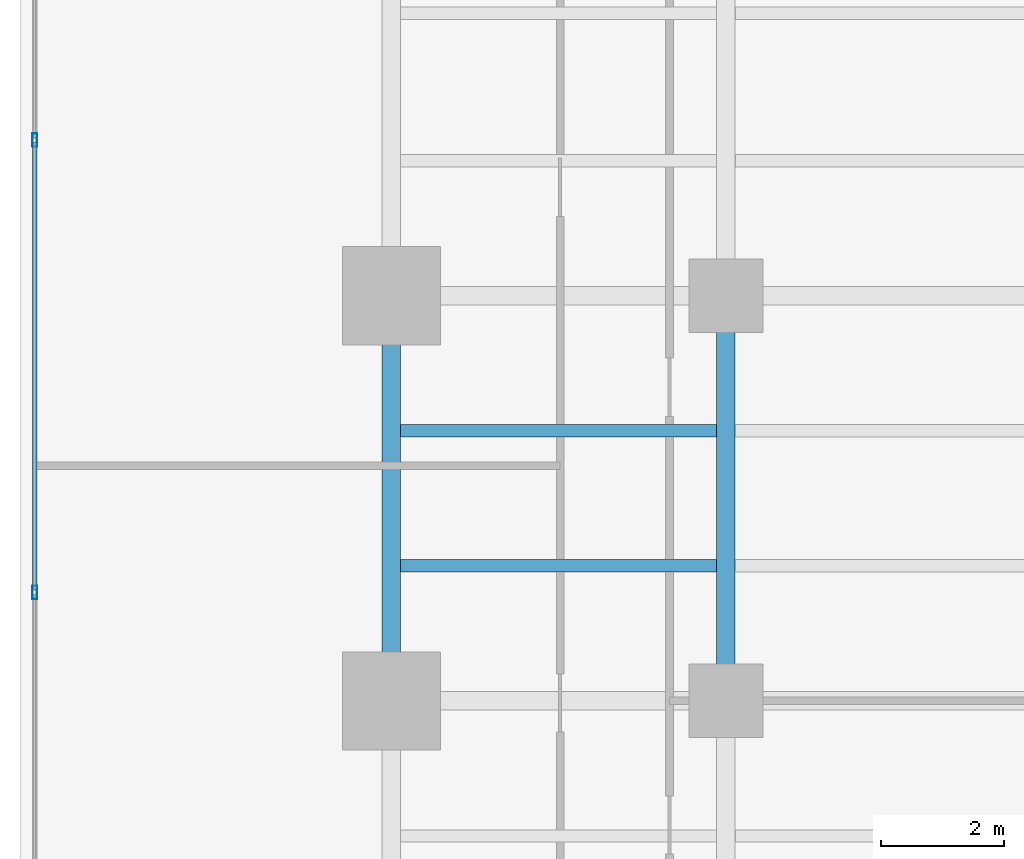
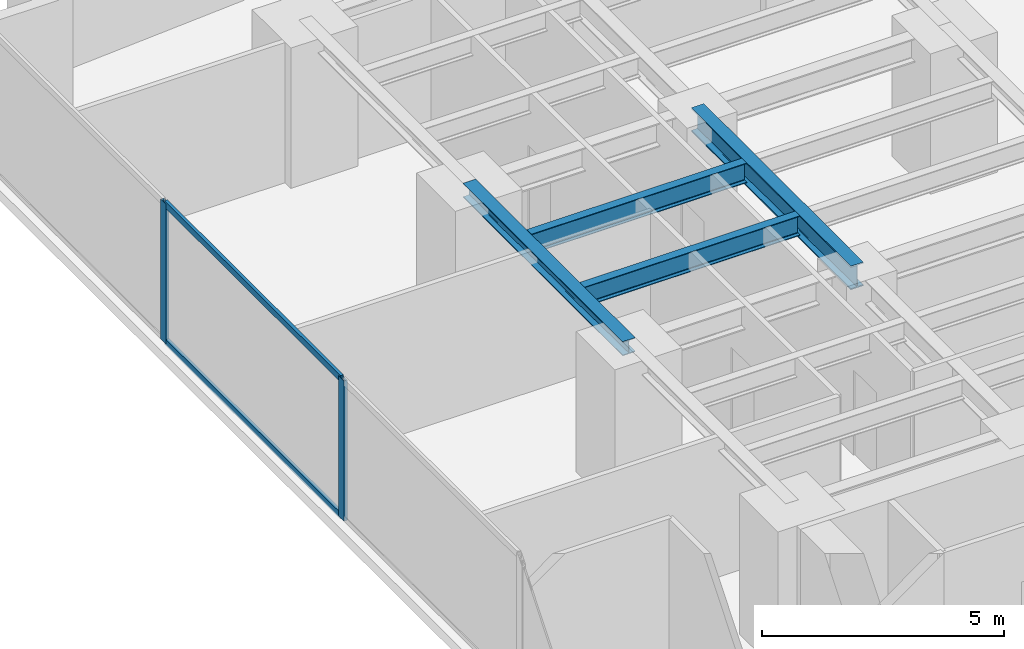
# One storey, part 15 of 27: 4 beams, 4 members, 1 element without a shape of its own.
"""IFC4 building model written with IfcOpenShell, lengths in metres."""

from ifc_helpers import new_model, si_unit, direction, frame, origin, origin_with_axes, origin_2d, place, context, subcontext, project, spatial, hollow_rectangle, i_section, extrude, source, transform, mapped, material, layer, layer_set, material_profile, profile_set, type_object, element, aggregate, save


model = new_model("IFC4")

# Units and contexts
model_context = context("Model", 3, precision=1e-05, world=origin(), true_north=direction((0.0, 1.0)))
body_context = subcontext(model_context, "Body", "Model", "MODEL_VIEW")
ifc_project = project(units=[si_unit("LENGTHUNIT", "METRE"), si_unit("AREAUNIT", "SQUARE_METRE"), si_unit("VOLUMEUNIT", "CUBIC_METRE"), si_unit("PLANEANGLEUNIT", "RADIAN"), si_unit("MASSUNIT", "GRAM", prefix="KILO")], contexts=[model_context])

# Site, building, storey
site_placement = place(None, origin())
site = spatial("IfcSite", under=ifc_project, at=site_placement, CompositionType="ELEMENT")
building_placement = place(site_placement, origin())
building = spatial("IfcBuilding", under=site, at=building_placement, Name="Kolvaren Waterfront Exchange", CompositionType="ELEMENT")
storey_placement = place(building_placement, frame((0.0, 0.0, 33.39990234375)))
storey = spatial("IfcBuildingStorey", under=building, at=storey_placement, Name="L08", CompositionType="ELEMENT", Elevation=33.39990234375)

# Beams
ifc_material_1 = material(Name="Steel S355", Category="steel")
ifc_material_profile_1 = material_profile(ifc_material_1, i_section(OverallWidth=0.300048828125, OverallDepth=0.360107421875, WebThickness=0.012451171875, FlangeThickness=0.0224609375, FilletRadius=0.027099609375, at=origin_2d()), Name="HEB360")
ifc_profile_set_1 = profile_set([ifc_material_profile_1], Name="Steel S355")
beam_type_1 = type_object("IfcBeamType", Name="STR-BM-HEB360", PredefinedType="SPANDREL", material=ifc_profile_set_1)
beam_1_placement = place(storey_placement, frame((7.449951171875, 31.199951171875, 3.360107421875), z_axis=(0.0, 1.0, 0.0), x_axis=(-1.0, 0.0, 0.0)))
element("IfcBeam", 1, at=beam_1_placement, inside=storey, type_object=beam_type_1, Name="L08 north-arm edge beam 2", PredefinedType="SPANDREL", context=body_context, shape_type="SweptSolid", body=[
    extrude(i_section(OverallWidth=0.300048828125, OverallDepth=0.360107421875, WebThickness=0.012451171875, FlangeThickness=0.0224609375, FilletRadius=0.027099609375, at=origin_2d()), origin(), (0.0, 0.0, 1.0), 6.60009765625),
])
ifc_material_profile_2 = material_profile(ifc_material_1, i_section(OverallWidth=0.300048828125, OverallDepth=0.60009765625, WebThickness=0.015380859375, FlangeThickness=0.030029296875, FilletRadius=0.027099609375, at=origin_2d()), Name="HEB600")
ifc_profile_set_2 = profile_set([ifc_material_profile_2], Name="Steel S355")
beam_type_2 = type_object("IfcBeamType", Name="STR-BM-HEB600", PredefinedType="BEAM", material=ifc_profile_set_2)
beam_2_placement = place(storey_placement, frame((12.89990234375, 31.199951171875, 3.239990234375), z_axis=(0.0, 1.0, 0.0), x_axis=(-1.0, 0.0, 0.0)))
element("IfcBeam", 2, at=beam_2_placement, inside=storey, type_object=beam_type_2, Name="L08 north-arm edge beam 2", PredefinedType="BEAM", context=body_context, shape_type="SweptSolid", body=[
    extrude(i_section(OverallWidth=0.300048828125, OverallDepth=0.60009765625, WebThickness=0.015380859375, FlangeThickness=0.030029296875, FilletRadius=0.027099609375, at=origin_2d()), origin(), (0.0, 0.0, 1.0), 6.60009765625),
])
ifc_material_profile_3 = material_profile(ifc_material_1, i_section(OverallWidth=0.199951171875, OverallDepth=0.5, WebThickness=0.01025390625, FlangeThickness=0.01611328125, FilletRadius=0.02099609375, at=origin_2d()), Name="IPE500")
ifc_profile_set_3 = profile_set([ifc_material_profile_3], Name="Steel S355")
beam_type_3 = type_object("IfcBeamType", Name="STR-BM-IPE500", PredefinedType="JOIST", material=ifc_profile_set_3)
for number, where, z_axis, x_axis, name in (
    (3, (7.60205078125, 33.39990234375, 3.2900390625), (1.0, 0.0, 0.0), (0.0, 1.0, 0.0), "L08 north-arm composite joist 3A"),
    (4, (7.60205078125, 35.60009765625, 3.2900390625), (1.0, 0.0, 0.0), (0.0, 1.0, 0.0), "L08 north-arm composite joist 4A"),
):
    element("IfcBeam", number, at=place(storey_placement, frame(where, z_axis=z_axis, x_axis=x_axis)), inside=storey, type_object=beam_type_3, Name=name, PredefinedType="JOIST", context=body_context, shape_type="SweptSolid", body=[
        extrude(i_section(OverallWidth=0.199951171875, OverallDepth=0.5, WebThickness=0.01025390625, FlangeThickness=0.01611328125, FilletRadius=0.02099609375, at=origin_2d()), origin(), (0.0, 0.0, 1.0), 5.14599609375),
    ])

# Curtain wall, members
ifc_material_2 = material(Name="Anodised aluminium 6063-T6", Category="aluminium")
ifc_layer = layer(ifc_material_2, 0.219970703125, Name="Anodised aluminium 6063-T6")
ifc_layer_set = layer_set([ifc_layer], Name="Anodised aluminium 6063-T6")
curtain_wall_type = type_object("IfcCurtainWallType", Name="ARC-CW-SYS2", PredefinedType="USERDEFINED", material=ifc_layer_set)
curtain_wall_placement = place(storey_placement, origin())
curtain_wall = element("IfcCurtainWall", 5, at=curtain_wall_placement, inside=storey, type_object=curtain_wall_type, Name="L08 stick curtain wall CW2 (CW-L08-W)", ObjectType="STICK CURTAIN WALL", PredefinedType="USERDEFINED")
ifc_material_profile_4 = material_profile(ifc_material_2, hollow_rectangle(XDim=0.074951171875, YDim=0.159912109375, WallThickness=0.00439453125, at=origin_2d()), Name="ALU-TRN-160x75x4.5")
ifc_profile_set_4 = profile_set([ifc_material_profile_4], Name="Anodised aluminium 6063-T6")
member_type_1 = type_object("IfcMemberType", Name="ARC-CWT-160", PredefinedType="USERDEFINED", material=ifc_profile_set_4)
shared_shape_1 = source(origin_with_axes(), body_context, "Body", "SweptSolid", [
    extrude(hollow_rectangle(XDim=0.074951171875, YDim=0.159912109375, WallThickness=0.00439453125, at=origin_2d()), origin(), (0.0, 0.0, 1.0), 7.28662109375),
])
member_1_placement = place(storey_placement, frame((1.639892578125, 33.006591796875, 0.03759765625), z_axis=(0.0, 1.0, 0.0), x_axis=(-1.0, 0.0, 0.0)))
member_1 = element("IfcMember", 6, at=member_1_placement, type_object=member_type_1, Name="CW2 transom 5.1", ObjectType="TRANSOM", PredefinedType="USERDEFINED", context=body_context, shape_type="MappedRepresentation", body=[
    mapped(shared_shape_1, transform((0.0, 0.0, 0.0), x_axis=(1.0, 0.0, 0.0), y_axis=(0.0, 1.0, 0.0), z_axis=(0.0, 0.0, 1.0), scale=1.0)),
])
member_2_placement = place(storey_placement, frame((1.639892578125, 33.006591796875, 3.502685546875), z_axis=(0.0, 1.0, 0.0), x_axis=(-1.0, 0.0, 0.0)))
member_2 = element("IfcMember", 7, at=member_2_placement, type_object=member_type_1, Name="CW2 transom 5.2", ObjectType="TRANSOM", PredefinedType="USERDEFINED", context=body_context, shape_type="MappedRepresentation", body=[
    mapped(shared_shape_1, transform((0.0, 0.0, 0.0), x_axis=(1.0, 0.0, 0.0), y_axis=(0.0, 1.0, 0.0), z_axis=(0.0, 0.0, 1.0), scale=1.0)),
])
ifc_material_profile_5 = material_profile(ifc_material_2, hollow_rectangle(XDim=0.080078125, YDim=0.219970703125, WallThickness=0.0048828125, at=origin_2d()), Name="ALU-MUL-220x80x5")
ifc_profile_set_5 = profile_set([ifc_material_profile_5], Name="Anodised aluminium 6063-T6")
member_type_2 = type_object("IfcMemberType", Name="ARC-CWM-220", PredefinedType="MULLION", material=ifc_profile_set_5)
shared_shape_2 = source(origin_with_axes(), body_context, "Body", "SweptSolid", [
    extrude(hollow_rectangle(XDim=0.080078125, YDim=0.219970703125, WallThickness=0.0048828125, at=origin_2d()), origin(), (0.0, 0.0, 1.0), 3.5400390625),
])
member_3_placement = place(storey_placement, frame((1.639892578125, 32.966552734375, 0.0), z_axis=(0.0, 0.0, 1.0), x_axis=(-1.0, 0.0, 0.0)))
member_3 = element("IfcMember", 8, at=member_3_placement, type_object=member_type_2, Name="CW2 mullion 5", PredefinedType="MULLION", context=body_context, shape_type="MappedRepresentation", body=[
    mapped(shared_shape_2, transform((0.0, 0.0, 0.0), x_axis=(1.0, 0.0, 0.0), y_axis=(0.0, 1.0, 0.0), z_axis=(0.0, 0.0, 1.0), scale=1.0)),
])
member_4_placement = place(storey_placement, frame((1.639892578125, 40.333251953125, 0.0), z_axis=(0.0, 0.0, 1.0), x_axis=(-1.0, 0.0, 0.0)))
member_4 = element("IfcMember", 9, at=member_4_placement, type_object=member_type_2, Name="CW2 mullion 6", PredefinedType="MULLION", context=body_context, shape_type="MappedRepresentation", body=[
    mapped(shared_shape_2, transform((0.0, 0.0, 0.0), x_axis=(1.0, 0.0, 0.0), y_axis=(0.0, 1.0, 0.0), z_axis=(0.0, 0.0, 1.0), scale=1.0)),
])
aggregate(curtain_wall, [member_3, member_4, member_1, member_2])

save(model, "model.ifc")
